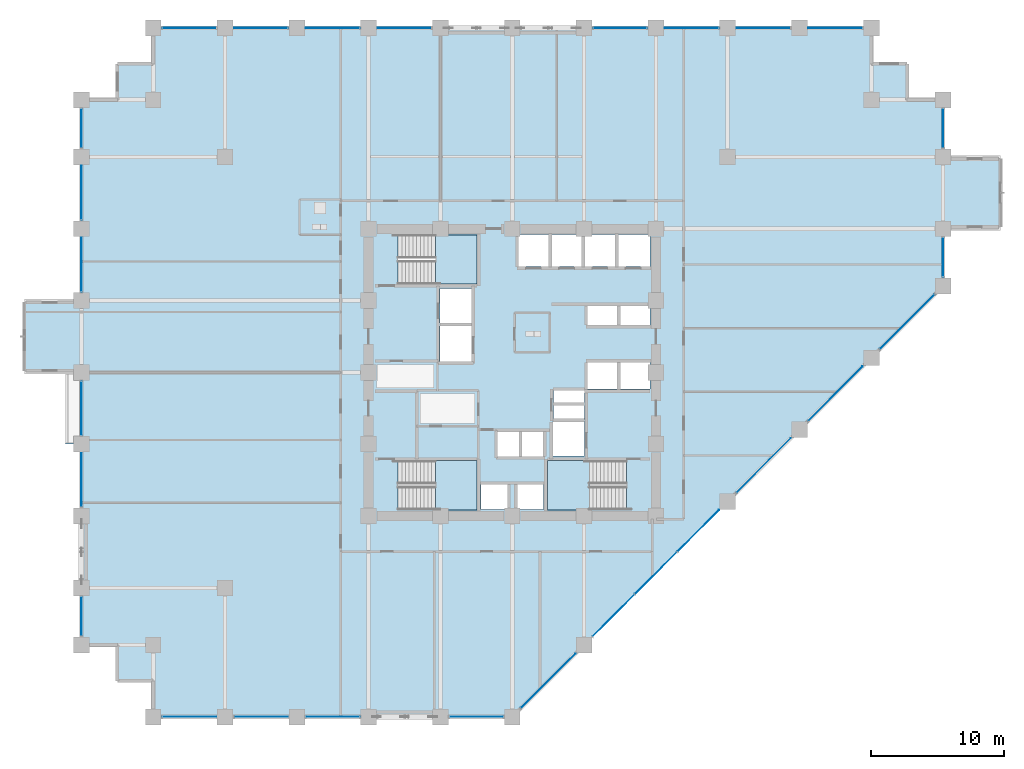
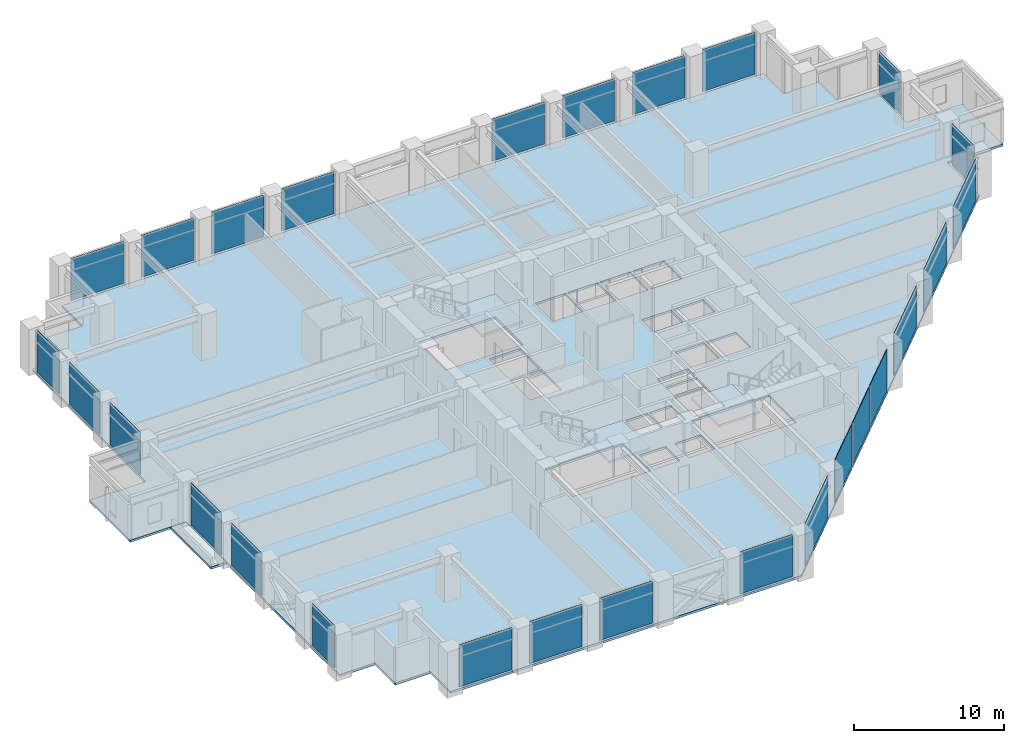
# One storey, part 19 of 28: 27 plates, 5 slabs, 13 elements without a shape of their own.
"""IFC4 building model written with IfcOpenShell, lengths in metres."""

from ifc_helpers import new_model, si_unit, direction, frame, frame_2d, origin, place, context, subcontext, project, spatial, polyline, rectangle, outline, extrude, material, layer, layer_set, type_object, element, aggregate, save


model = new_model("IFC4")

# Units and contexts
model_context = context("Model", 3, precision=1e-05, world=origin(), true_north=direction((0.0, 1.0)))
body_context = subcontext(model_context, "Body", "Model", "MODEL_VIEW")
ifc_project = project(units=[si_unit("LENGTHUNIT", "METRE"), si_unit("AREAUNIT", "SQUARE_METRE"), si_unit("VOLUMEUNIT", "CUBIC_METRE"), si_unit("PLANEANGLEUNIT", "RADIAN"), si_unit("MASSUNIT", "GRAM", prefix="KILO")], contexts=[model_context])

# Site, building, storey
site_placement = place(None, origin())
site = spatial("IfcSite", under=ifc_project, at=site_placement, CompositionType="ELEMENT")
building_placement = place(site_placement, origin())
building = spatial("IfcBuilding", under=site, at=building_placement, Name="Surkhivell Harbour Commons", CompositionType="ELEMENT")
storey_placement = place(building_placement, frame((0.0, 0.0, 63.75)))
storey = spatial("IfcBuildingStorey", under=building, at=storey_placement, Name="L16", CompositionType="ELEMENT", Elevation=63.75)

# Curtain wall, plates
ifc_material_1 = material(Name="Anodised pale-metal aluminium and insulated glazing", Category="aluminium")
ifc_layer_1 = layer(ifc_material_1, 0.219970703125)
ifc_layer_set_1 = layer_set([ifc_layer_1], Name="Anodised pale-metal aluminium and insulated glazing")
curtain_wall_type = type_object("IfcCurtainWallType", Name="CW-SYS-Z1", PredefinedType="NOTDEFINED", material=ifc_layer_set_1)
curtain_wall_1_placement = place(storey_placement, origin())
curtain_wall_1 = element("IfcCurtainWall", 1, at=curtain_wall_1_placement, inside=storey, type_object=curtain_wall_type, Name="L16 Curtain Wall CW-L16-E00S1", PredefinedType="NOTDEFINED")
ifc_material_2 = material(Name="Double-silver low-E laminated vision glass", Category="glass")
ifc_layer_2 = layer(ifc_material_2, 0.031982421875)
ifc_layer_set_2 = layer_set([ifc_layer_2], Name="Double-silver low-E laminated vision glass")
plate_type = type_object("IfcPlateType", Name="CWP-GLZ-32", PredefinedType="CURTAIN_PANEL", material=ifc_layer_set_2)
plate_1_placement = place(storey_placement, frame((-26.322998046875, -25.89990234375, 0.14990234375), z_axis=(0.0, 0.0, 1.0), x_axis=(1.0, 0.0, 0.0)))
plate_1 = element("IfcPlate", 2, at=plate_1_placement, type_object=plate_type, Name="CW-Z1 panel 1.1", PredefinedType="CURTAIN_PANEL", context=body_context, shape_type="SweptSolid", body=[
    extrude(rectangle(XDim=4.0458984375, YDim=0.031982421875, at=frame_2d((2.02294921875, 0.0))), origin(), (0.0, 0.0, 1.0), 3.420166015625),
])
plate_2_placement = place(storey_placement, frame((-20.923095703125, -25.89990234375, 0.14990234375), z_axis=(0.0, 0.0, 1.0), x_axis=(1.0, 0.0, 0.0)))
plate_2 = element("IfcPlate", 3, at=plate_2_placement, type_object=plate_type, Name="CW-Z1 panel 2.1", PredefinedType="CURTAIN_PANEL", context=body_context, shape_type="SweptSolid", body=[
    extrude(rectangle(XDim=4.046142578125, YDim=0.031982421875, at=frame_2d((2.02294921875, 0.0))), origin(), (0.0, 0.0, 1.0), 3.420166015625),
])
plate_3_placement = place(storey_placement, frame((-15.52294921875, -25.89990234375, 0.14990234375), z_axis=(0.0, 0.0, 1.0), x_axis=(1.0, 0.0, 0.0)))
plate_3 = element("IfcPlate", 4, at=plate_3_placement, type_object=plate_type, Name="CW-Z1 panel 3.1", PredefinedType="CURTAIN_PANEL", context=body_context, shape_type="SweptSolid", body=[
    extrude(rectangle(XDim=4.0458984375, YDim=0.031982421875, at=frame_2d((2.02294921875, 0.0))), origin(), (0.0, 0.0, 1.0), 3.420166015625),
])
aggregate(curtain_wall_1, [plate_1, plate_2, plate_3])

# Curtain wall, plate
curtain_wall_2_placement = place(storey_placement, origin())
curtain_wall_2 = element("IfcCurtainWall", 5, at=curtain_wall_2_placement, inside=storey, type_object=curtain_wall_type, Name="L16 Curtain Wall CW-L16-E00S2", PredefinedType="NOTDEFINED")
plate_4_placement = place(storey_placement, frame((-4.722900390625, -25.89990234375, 0.14990234375), z_axis=(0.0, 0.0, 1.0), x_axis=(1.0, 0.0, 0.0)))
plate_4 = element("IfcPlate", 6, at=plate_4_placement, type_object=plate_type, Name="CW-Z1 panel 1.1", PredefinedType="CURTAIN_PANEL", context=body_context, shape_type="SweptSolid", body=[
    extrude(rectangle(XDim=4.0458984375, YDim=0.031982421875, at=frame_2d((2.02294921875, 0.0))), origin(), (0.0, 0.0, 1.0), 3.420166015625),
])
aggregate(curtain_wall_2, [plate_4])

# Curtain wall, plates
curtain_wall_3_placement = place(storey_placement, origin())
curtain_wall_3 = element("IfcCurtainWall", 7, at=curtain_wall_3_placement, inside=storey, type_object=curtain_wall_type, Name="L16 Curtain Wall CW-L16-E01", PredefinedType="NOTDEFINED")
plate_5_placement = place(storey_placement, frame((0.65478515625, -25.2451171875, 0.14990234375), z_axis=(0.0, 0.0, 1.0), x_axis=(0.707106781187, 0.707106781187, 0.0)))
plate_5 = element("IfcPlate", 8, at=plate_5_placement, type_object=plate_type, Name="CW-Z1 panel 1.1", PredefinedType="CURTAIN_PANEL", context=body_context, shape_type="SweptSolid", body=[
    extrude(rectangle(XDim=5.78466796875, YDim=0.031982421875, at=frame_2d((2.892333984375, 0.0))), origin(), (0.0, 0.0, 1.0), 3.420166015625),
])
plate_6_placement = place(storey_placement, frame((6.0546875, -19.84521484375, 0.14990234375), z_axis=(0.0, 0.0, 1.0), x_axis=(0.707106781187, 0.707106781187, 0.0)))
plate_6 = element("IfcPlate", 9, at=plate_6_placement, type_object=plate_type, Name="CW-Z1 panel 2.1", PredefinedType="CURTAIN_PANEL", context=body_context, shape_type="SweptSolid", body=[
    extrude(rectangle(XDim=4.411376953125, YDim=0.031982421875, at=frame_2d((2.20556640625, 0.0))), origin(), (0.0, 0.0, 1.0), 3.420166015625),
])
plate_7_placement = place(storey_placement, frame((9.22705078125, -16.6728515625, 0.14990234375), z_axis=(0.0, 0.0, 1.0), x_axis=(0.707106781187, 0.707106781187, 0.0)))
plate_7 = element("IfcPlate", 10, at=plate_7_placement, type_object=plate_type, Name="CW-Z1 panel 3.1", PredefinedType="CURTAIN_PANEL", context=body_context, shape_type="SweptSolid", body=[
    extrude(rectangle(XDim=4.44873046875, YDim=0.031982421875, at=frame_2d((2.224365234375, 0.0))), origin(), (0.0, 0.0, 1.0), 3.420166015625),
])
plate_8_placement = place(storey_placement, frame((12.426025390625, -13.47412109375, 0.14990234375), z_axis=(0.0, 0.0, 1.0), x_axis=(0.707079108482, 0.707134452808, 0.0)))
plate_8 = element("IfcPlate", 11, at=plate_8_placement, type_object=plate_type, Name="CW-Z1 panel 4.1", PredefinedType="CURTAIN_PANEL", context=body_context, shape_type="SweptSolid", body=[
    extrude(rectangle(XDim=4.411376953125, YDim=0.031982421875, at=frame_2d((2.20556640625, 0.0))), origin(), (0.0, 0.0, 1.0), 3.420166015625),
])
plate_9_placement = place(storey_placement, frame((16.854736328125, -9.045166015625, 0.14990234375), z_axis=(0.0, 0.0, 1.0), x_axis=(0.707127882868, 0.707085678876, 0.0)))
plate_9 = element("IfcPlate", 12, at=plate_9_placement, type_object=plate_type, Name="CW-Z1 panel 5.1", PredefinedType="CURTAIN_PANEL", context=body_context, shape_type="SweptSolid", body=[
    extrude(rectangle(XDim=5.78466796875, YDim=0.031982421875, at=frame_2d((2.892333984375, 0.0))), origin(), (0.0, 0.0, 1.0), 3.420166015625),
])
plate_10_placement = place(storey_placement, frame((22.2548828125, -3.645263671875, 0.14990234375), z_axis=(0.0, 0.0, 1.0), x_axis=(0.707085678876, 0.707127882868, 0.0)))
plate_10 = element("IfcPlate", 13, at=plate_10_placement, type_object=plate_type, Name="CW-Z1 panel 6.1", PredefinedType="CURTAIN_PANEL", context=body_context, shape_type="SweptSolid", body=[
    extrude(rectangle(XDim=5.78466796875, YDim=0.031982421875, at=frame_2d((2.892333984375, 0.0))), origin(), (0.0, 0.0, 1.0), 3.420166015625),
])
plate_11_placement = place(storey_placement, frame((27.65478515625, 1.7548828125, 0.14990234375), z_axis=(0.0, 0.0, 1.0), x_axis=(0.707106781187, 0.707106781187, 0.0)))
plate_11 = element("IfcPlate", 14, at=plate_11_placement, type_object=plate_type, Name="CW-Z1 panel 7.1", PredefinedType="CURTAIN_PANEL", context=body_context, shape_type="SweptSolid", body=[
    extrude(rectangle(XDim=5.78466796875, YDim=0.031982421875, at=frame_2d((2.892333984375, 0.0))), origin(), (0.0, 0.0, 1.0), 3.420166015625),
])
aggregate(curtain_wall_3, [plate_5, plate_6, plate_7, plate_8, plate_9, plate_10, plate_11])

# Curtain wall, plate
curtain_wall_4_placement = place(storey_placement, origin())
curtain_wall_4 = element("IfcCurtainWall", 15, at=curtain_wall_4_placement, inside=storey, type_object=curtain_wall_type, Name="L16 Curtain Wall CW-L16-E02R1", PredefinedType="NOTDEFINED")
plate_12_placement = place(storey_placement, frame((32.39990234375, 7.177001953125, 0.14990234375), z_axis=(0.0, 0.0, 1.0), x_axis=(0.0, 1.0, 0.0)))
plate_12 = element("IfcPlate", 16, at=plate_12_placement, type_object=plate_type, Name="CW-Z1 panel 1.1", PredefinedType="CURTAIN_PANEL", context=body_context, shape_type="SweptSolid", body=[
    extrude(rectangle(XDim=2.946044921875, YDim=0.031982421875, at=frame_2d((1.47314453125, 0.0))), origin(), (0.0, 0.0, 1.0), 3.420166015625),
])
aggregate(curtain_wall_4, [plate_12])

curtain_wall_5_placement = place(storey_placement, origin())
curtain_wall_5 = element("IfcCurtainWall", 17, at=curtain_wall_5_placement, inside=storey, type_object=curtain_wall_type, Name="L16 Curtain Wall CW-L16-E02R2", PredefinedType="NOTDEFINED")
plate_13_placement = place(storey_placement, frame((32.39990234375, 16.876953125, 0.14990234375), z_axis=(0.0, 0.0, 1.0), x_axis=(0.0, 1.0, 0.0)))
plate_13 = element("IfcPlate", 18, at=plate_13_placement, type_object=plate_type, Name="CW-Z1 panel 1.1", PredefinedType="CURTAIN_PANEL", context=body_context, shape_type="SweptSolid", body=[
    extrude(rectangle(XDim=2.946044921875, YDim=0.031982421875, at=frame_2d((1.47314453125, 0.0))), origin(), (0.0, 0.0, 1.0), 3.420166015625),
])
aggregate(curtain_wall_5, [plate_13])

# Curtain wall, plates
curtain_wall_6_placement = place(storey_placement, origin())
curtain_wall_6 = element("IfcCurtainWall", 19, at=curtain_wall_6_placement, inside=storey, type_object=curtain_wall_type, Name="L16 Curtain Wall CW-L16-E07S1", PredefinedType="NOTDEFINED")
plate_14_placement = place(storey_placement, frame((26.322998046875, 25.89990234375, 0.14990234375), z_axis=(0.0, 0.0, 1.0), x_axis=(-1.0, 0.0, 0.0)))
plate_14 = element("IfcPlate", 20, at=plate_14_placement, type_object=plate_type, Name="CW-Z1 panel 1.1", PredefinedType="CURTAIN_PANEL", context=body_context, shape_type="SweptSolid", body=[
    extrude(rectangle(XDim=4.0458984375, YDim=0.031982421875, at=frame_2d((2.02294921875, 0.0))), origin(), (0.0, 0.0, 1.0), 3.420166015625),
])
plate_15_placement = place(storey_placement, frame((20.923095703125, 25.89990234375, 0.14990234375), z_axis=(0.0, 0.0, 1.0), x_axis=(-1.0, 0.0, 0.0)))
plate_15 = element("IfcPlate", 21, at=plate_15_placement, type_object=plate_type, Name="CW-Z1 panel 2.1", PredefinedType="CURTAIN_PANEL", context=body_context, shape_type="SweptSolid", body=[
    extrude(rectangle(XDim=4.046142578125, YDim=0.031982421875, at=frame_2d((2.02294921875, 0.0))), origin(), (0.0, 0.0, 1.0), 3.420166015625),
])
plate_16_placement = place(storey_placement, frame((15.52294921875, 25.89990234375, 0.14990234375), z_axis=(0.0, 0.0, 1.0), x_axis=(-1.0, 0.0, 0.0)))
plate_16 = element("IfcPlate", 22, at=plate_16_placement, type_object=plate_type, Name="CW-Z1 panel 3.1", PredefinedType="CURTAIN_PANEL", context=body_context, shape_type="SweptSolid", body=[
    extrude(rectangle(XDim=4.0458984375, YDim=0.031982421875, at=frame_2d((2.02294921875, 0.0))), origin(), (0.0, 0.0, 1.0), 3.420166015625),
])
plate_17_placement = place(storey_placement, frame((10.123046875, 25.89990234375, 0.14990234375), z_axis=(0.0, 0.0, 1.0), x_axis=(-1.0, 0.0, 0.0)))
plate_17 = element("IfcPlate", 23, at=plate_17_placement, type_object=plate_type, Name="CW-Z1 panel 4.1", PredefinedType="CURTAIN_PANEL", context=body_context, shape_type="SweptSolid", body=[
    extrude(rectangle(XDim=4.046142578125, YDim=0.031982421875, at=frame_2d((2.02294921875, 0.0))), origin(), (0.0, 0.0, 1.0), 3.420166015625),
])
aggregate(curtain_wall_6, [plate_14, plate_15, plate_16, plate_17])

curtain_wall_7_placement = place(storey_placement, origin())
curtain_wall_7 = element("IfcCurtainWall", 24, at=curtain_wall_7_placement, inside=storey, type_object=curtain_wall_type, Name="L16 Curtain Wall CW-L16-E07S2", PredefinedType="NOTDEFINED")
plate_18_placement = place(storey_placement, frame((-6.076904296875, 25.89990234375, 0.14990234375), z_axis=(0.0, 0.0, 1.0), x_axis=(-1.0, 0.0, 0.0)))
plate_18 = element("IfcPlate", 25, at=plate_18_placement, type_object=plate_type, Name="CW-Z1 panel 1.1", PredefinedType="CURTAIN_PANEL", context=body_context, shape_type="SweptSolid", body=[
    extrude(rectangle(XDim=4.046142578125, YDim=0.031982421875, at=frame_2d((2.02294921875, 0.0))), origin(), (0.0, 0.0, 1.0), 3.420166015625),
])
plate_19_placement = place(storey_placement, frame((-11.47705078125, 25.89990234375, 0.14990234375), z_axis=(0.0, 0.0, 1.0), x_axis=(-1.0, 0.0, 0.0)))
plate_19 = element("IfcPlate", 26, at=plate_19_placement, type_object=plate_type, Name="CW-Z1 panel 2.1", PredefinedType="CURTAIN_PANEL", context=body_context, shape_type="SweptSolid", body=[
    extrude(rectangle(XDim=4.0458984375, YDim=0.031982421875, at=frame_2d((2.02294921875, 0.0))), origin(), (0.0, 0.0, 1.0), 3.420166015625),
])
plate_20_placement = place(storey_placement, frame((-16.876953125, 25.89990234375, 0.14990234375), z_axis=(0.0, 0.0, 1.0), x_axis=(-1.0, 0.0, 0.0)))
plate_20 = element("IfcPlate", 27, at=plate_20_placement, type_object=plate_type, Name="CW-Z1 panel 3.1", PredefinedType="CURTAIN_PANEL", context=body_context, shape_type="SweptSolid", body=[
    extrude(rectangle(XDim=4.046142578125, YDim=0.031982421875, at=frame_2d((2.02294921875, 0.0))), origin(), (0.0, 0.0, 1.0), 3.420166015625),
])
plate_21_placement = place(storey_placement, frame((-22.277099609375, 25.89990234375, 0.14990234375), z_axis=(0.0, 0.0, 1.0), x_axis=(-1.0, 0.0, 0.0)))
plate_21 = element("IfcPlate", 28, at=plate_21_placement, type_object=plate_type, Name="CW-Z1 panel 4.1", PredefinedType="CURTAIN_PANEL", context=body_context, shape_type="SweptSolid", body=[
    extrude(rectangle(XDim=4.0458984375, YDim=0.031982421875, at=frame_2d((2.02294921875, 0.0))), origin(), (0.0, 0.0, 1.0), 3.420166015625),
])
aggregate(curtain_wall_7, [plate_18, plate_19, plate_20, plate_21])

# Curtain wall, plate
curtain_wall_8_placement = place(storey_placement, origin())
curtain_wall_8 = element("IfcCurtainWall", 29, at=curtain_wall_8_placement, inside=storey, type_object=curtain_wall_type, Name="L16 Curtain Wall CW-L16-E12R1S1", PredefinedType="NOTDEFINED")
plate_22_placement = place(storey_placement, frame((-32.39990234375, -19.822998046875, 0.14990234375), z_axis=(0.0, 0.0, 1.0), x_axis=(0.0, 1.0, 0.0)))
plate_22 = element("IfcPlate", 30, at=plate_22_placement, type_object=plate_type, Name="CW-Z1 panel 1.1", PredefinedType="CURTAIN_PANEL", context=body_context, shape_type="SweptSolid", body=[
    extrude(rectangle(XDim=2.946044921875, YDim=0.031982421875, at=frame_2d((1.47314453125, 0.0))), origin(), (0.0, 0.0, 1.0), 3.420166015625),
])
aggregate(curtain_wall_8, [plate_22])

# Curtain wall, plates
curtain_wall_9_placement = place(storey_placement, origin())
curtain_wall_9 = element("IfcCurtainWall", 31, at=curtain_wall_9_placement, inside=storey, type_object=curtain_wall_type, Name="L16 Curtain Wall CW-L16-E12R1S2", PredefinedType="NOTDEFINED")
plate_23_placement = place(storey_placement, frame((-32.39990234375, -10.123046875, 0.14990234375), z_axis=(0.0, 0.0, 1.0), x_axis=(0.0, 1.0, 0.0)))
plate_23 = element("IfcPlate", 32, at=plate_23_placement, type_object=plate_type, Name="CW-Z1 panel 1.1", PredefinedType="CURTAIN_PANEL", context=body_context, shape_type="SweptSolid", body=[
    extrude(rectangle(XDim=4.046142578125, YDim=0.031982421875, at=frame_2d((2.02294921875, 0.0))), origin(), (0.0, 0.0, 1.0), 3.420166015625),
])
plate_24_placement = place(storey_placement, frame((-32.39990234375, -4.722900390625, 0.14990234375), z_axis=(0.0, 0.0, 1.0), x_axis=(0.0, 1.0, 0.0)))
plate_24 = element("IfcPlate", 33, at=plate_24_placement, type_object=plate_type, Name="CW-Z1 panel 2.1", PredefinedType="CURTAIN_PANEL", context=body_context, shape_type="SweptSolid", body=[
    extrude(rectangle(XDim=4.0458984375, YDim=0.031982421875, at=frame_2d((2.02294921875, 0.0))), origin(), (0.0, 0.0, 1.0), 3.420166015625),
])
aggregate(curtain_wall_9, [plate_23, plate_24])

curtain_wall_10_placement = place(storey_placement, origin())
curtain_wall_10 = element("IfcCurtainWall", 34, at=curtain_wall_10_placement, inside=storey, type_object=curtain_wall_type, Name="L16 Curtain Wall CW-L16-E12R2", PredefinedType="NOTDEFINED")
plate_25_placement = place(storey_placement, frame((-32.39990234375, 6.076904296875, 0.14990234375), z_axis=(0.0, 0.0, 1.0), x_axis=(0.0, 1.0, 0.0)))
plate_25 = element("IfcPlate", 35, at=plate_25_placement, type_object=plate_type, Name="CW-Z1 panel 1.1", PredefinedType="CURTAIN_PANEL", context=body_context, shape_type="SweptSolid", body=[
    extrude(rectangle(XDim=4.046142578125, YDim=0.031982421875, at=frame_2d((2.02294921875, 0.0))), origin(), (0.0, 0.0, 1.0), 3.420166015625),
])
plate_26_placement = place(storey_placement, frame((-32.39990234375, 11.47705078125, 0.14990234375), z_axis=(0.0, 0.0, 1.0), x_axis=(0.0, 1.0, 0.0)))
plate_26 = element("IfcPlate", 36, at=plate_26_placement, type_object=plate_type, Name="CW-Z1 panel 2.1", PredefinedType="CURTAIN_PANEL", context=body_context, shape_type="SweptSolid", body=[
    extrude(rectangle(XDim=4.0458984375, YDim=0.031982421875, at=frame_2d((2.02294921875, 0.0))), origin(), (0.0, 0.0, 1.0), 3.420166015625),
])
plate_27_placement = place(storey_placement, frame((-32.39990234375, 16.876953125, 0.14990234375), z_axis=(0.0, 0.0, 1.0), x_axis=(0.0, 1.0, 0.0)))
plate_27 = element("IfcPlate", 37, at=plate_27_placement, type_object=plate_type, Name="CW-Z1 panel 3.1", PredefinedType="CURTAIN_PANEL", context=body_context, shape_type="SweptSolid", body=[
    extrude(rectangle(XDim=2.946044921875, YDim=0.031982421875, at=frame_2d((1.47314453125, 0.0))), origin(), (0.0, 0.0, 1.0), 3.420166015625),
])
aggregate(curtain_wall_10, [plate_25, plate_26, plate_27])

# Slab
ifc_material_3 = material(Name="Concrete C45/55", Category="concrete")
ifc_layer_3 = layer(ifc_material_3, 0.179931640625)
ifc_layer_set_3 = layer_set([ifc_layer_3], Name="Concrete C45/55")
slab_type_1 = type_object("IfcSlabType", Name="SLB-BOXRF-180", PredefinedType="ROOF", material=ifc_layer_set_3)
slab_1_placement = place(storey_placement, frame((0.0, 0.0, -0.179931640625)))
element("IfcSlab", 38, at=slab_1_placement, inside=storey, type_object=slab_type_1, Name="L16 Closed Box-Cluster Roof Slab 1", PredefinedType="ROOF", context=body_context, shape_type="SweptSolid", body=[
    extrude(outline(polyline([(-33.60009765625, -5.39990234375), (-32.419921875, -5.39990234375), (-32.419921875, -0.02001953125), (-33.60009765625, -0.02001953125), (-33.60009765625, -5.39990234375)])), origin(), (0.0, 0.0, 1.0), 0.179931640625),
])

# Stair, slab
ifc_material_4 = material(Name="Precast concrete C45/55", Category="concrete")
stair_type = type_object("IfcStairType", Name="STR-DL-375", PredefinedType="HALF_TURN_STAIR", material=ifc_material_4)
stair_1_placement = place(storey_placement, origin())
stair_1 = element("IfcStair", 39, at=stair_1_placement, inside=storey, type_object=stair_type, Name="L16 Core Exit Stair ST1", PredefinedType="HALF_TURN_STAIR")
ifc_material_5 = material(Name="Reinforced concrete C45/55", Category="concrete")
ifc_layer_4 = layer(ifc_material_5, 0.199951171875)
ifc_layer_set_4 = layer_set([ifc_layer_4], Name="Reinforced concrete C45/55")
slab_type_2 = type_object("IfcSlabType", Name="SLB-ST-LND200", PredefinedType="LANDING", material=ifc_layer_set_4)
slab_2_placement = place(storey_placement, frame((0.0, 0.0, 1.675048828125)))
slab_2 = element("IfcSlab", 40, at=slab_2_placement, type_object=slab_type_2, Name="ST1 landing 1", PredefinedType="LANDING", context=body_context, shape_type="SweptSolid", body=[
    extrude(outline(polyline([(-5.7900390625, 6.639892578125), (-2.639892578125, 6.639892578125), (-2.639892578125, 10.340087890625), (-5.7900390625, 10.340087890625), (-5.7900390625, 6.639892578125)])), origin(), (0.0, 0.0, 1.0), 0.199951171875),
])
aggregate(stair_1, [slab_2])

stair_2_placement = place(storey_placement, origin())
stair_2 = element("IfcStair", 41, at=stair_2_placement, inside=storey, type_object=stair_type, Name="L16 Core Exit Stair ST2", PredefinedType="HALF_TURN_STAIR")
slab_3_placement = place(storey_placement, frame((0.0, 0.0, 1.675048828125)))
slab_3 = element("IfcSlab", 42, at=slab_3_placement, type_object=slab_type_2, Name="ST2 landing 1", PredefinedType="LANDING", context=body_context, shape_type="SweptSolid", body=[
    extrude(outline(polyline([(5.7900390625, -6.639892578125), (2.639892578125, -6.639892578125), (2.639892578125, -10.340087890625), (5.7900390625, -10.340087890625), (5.7900390625, -6.639892578125)])), origin(), (0.0, 0.0, 1.0), 0.199951171875),
])
aggregate(stair_2, [slab_3])

stair_3_placement = place(storey_placement, origin())
stair_3 = element("IfcStair", 43, at=stair_3_placement, inside=storey, type_object=stair_type, Name="L16 Core Exit Stair ST3", PredefinedType="HALF_TURN_STAIR")
slab_4_placement = place(storey_placement, frame((0.0, 0.0, 1.675048828125)))
slab_4 = element("IfcSlab", 44, at=slab_4_placement, type_object=slab_type_2, Name="ST3 landing 1", PredefinedType="LANDING", context=body_context, shape_type="SweptSolid", body=[
    extrude(outline(polyline([(-5.7900390625, -10.340087890625), (-2.639892578125, -10.340087890625), (-2.639892578125, -6.639892578125), (-5.7900390625, -6.639892578125), (-5.7900390625, -10.340087890625)])), origin(), (0.0, 0.0, 1.0), 0.199951171875),
])
aggregate(stair_3, [slab_4])

# Slab
ifc_layer_5 = layer(ifc_material_3, 0.179931640625)
ifc_layer_set_5 = layer_set([ifc_layer_5], Name="Concrete C45/55")
slab_type_3 = type_object("IfcSlabType", Name="SLB-TYP-180", PredefinedType="FLOOR", material=ifc_layer_set_5)
slab_5_placement = place(storey_placement, frame((0.0, 0.0, -0.179931640625)))
element("IfcSlab", 45, at=slab_5_placement, inside=storey, type_object=slab_type_3, Name="L16 Structural Floor Slab", PredefinedType="FLOOR", context=body_context, shape_type="SweptSolid", body=[
    extrude(outline(polyline([(-32.39990234375, 20.5), (-32.39990234375, 5.39990234375), (-36.699951171875, 5.39990234375), (-36.699951171875, 0.0), (-32.39990234375, 0.0), (-32.39990234375, -20.5), (-29.699951171875, -20.5), (-29.699951171875, -23.199951171875), (-27.0, -23.199951171875), (-27.0, -25.89990234375), (0.0, -25.89990234375), (32.39990234375, 6.5), (32.39990234375, 10.800048828125), (36.699951171875, 10.800048828125), (36.699951171875, 16.199951171875), (32.39990234375, 16.199951171875), (32.39990234375, 20.5), (29.699951171875, 20.5), (29.699951171875, 23.199951171875), (27.0, 23.199951171875), (27.0, 25.89990234375), (-27.0, 25.89990234375), (-27.0, 23.199951171875), (-29.699951171875, 23.199951171875), (-29.699951171875, 20.5), (-32.39990234375, 20.5)]), holes=[polyline([(-8.590087890625, 6.639892578125), (-2.639892578125, 6.639892578125), (-2.639892578125, 10.340087890625), (-8.590087890625, 10.340087890625), (-8.590087890625, 6.639892578125)]), polyline([(8.590087890625, -6.639892578125), (2.639892578125, -6.639892578125), (2.639892578125, -10.340087890625), (8.590087890625, -10.340087890625), (8.590087890625, -6.639892578125)]), polyline([(-8.590087890625, -10.340087890625), (-2.639892578125, -10.340087890625), (-2.639892578125, -6.639892578125), (-8.590087890625, -6.639892578125), (-8.590087890625, -10.340087890625)]), polyline([(0.449951171875, 7.949951171875), (2.75, 7.949951171875), (2.75, 10.35009765625), (0.449951171875, 10.35009765625), (0.449951171875, 7.949951171875)]), polyline([(2.949951171875, 7.949951171875), (5.25, 7.949951171875), (5.25, 10.35009765625), (2.949951171875, 10.35009765625), (2.949951171875, 7.949951171875)]), polyline([(5.449951171875, 7.949951171875), (7.75, 7.949951171875), (7.75, 10.35009765625), (5.449951171875, 10.35009765625), (5.449951171875, 7.949951171875)]), polyline([(7.949951171875, 7.949951171875), (10.35009765625, 7.949951171875), (10.35009765625, 10.35009765625), (7.949951171875, 10.35009765625), (7.949951171875, 7.949951171875)]), polyline([(5.64990234375, 3.550048828125), (7.89990234375, 3.550048828125), (7.89990234375, 5.14990234375), (5.64990234375, 5.14990234375), (5.64990234375, 3.550048828125)]), polyline([(8.10009765625, 3.550048828125), (10.35009765625, 3.550048828125), (10.35009765625, 5.14990234375), (8.10009765625, 5.14990234375), (8.10009765625, 3.550048828125)]), polyline([(5.64990234375, -1.25), (7.89990234375, -1.25), (7.89990234375, 0.75), (5.64990234375, 0.75), (5.64990234375, -1.25)]), polyline([(8.10009765625, -1.25), (10.35009765625, -1.25), (10.35009765625, 0.75), (8.10009765625, 0.75), (8.10009765625, -1.25)]), polyline([(-1.14990234375, -6.35009765625), (0.550048828125, -6.35009765625), (0.550048828125, -4.449951171875), (-1.14990234375, -4.449951171875), (-1.14990234375, -6.35009765625)]), polyline([(0.679931640625, -6.35009765625), (2.3798828125, -6.35009765625), (2.3798828125, -4.449951171875), (0.679931640625, -4.449951171875), (0.679931640625, -6.35009765625)]), polyline([(-2.35009765625, -10.300048828125), (-0.35009765625, -10.300048828125), (-0.35009765625, -8.39990234375), (-2.35009765625, -8.39990234375), (-2.35009765625, -10.300048828125)]), polyline([(0.35009765625, -10.300048828125), (2.35009765625, -10.300048828125), (2.35009765625, -8.39990234375), (0.35009765625, -8.39990234375), (0.35009765625, -10.300048828125)]), polyline([(-5.449951171875, 3.699951171875), (-3.050048828125, 3.699951171875), (-3.050048828125, 6.300048828125), (-5.449951171875, 6.300048828125), (-5.449951171875, 3.699951171875)]), polyline([(3.050048828125, -6.300048828125), (5.449951171875, -6.300048828125), (5.449951171875, -3.699951171875), (3.050048828125, -3.699951171875), (3.050048828125, -6.300048828125)]), polyline([(-5.449951171875, 0.800048828125), (-3.050048828125, 0.800048828125), (-3.050048828125, 3.5), (-5.449951171875, 3.5), (-5.449951171875, 0.800048828125)]), polyline([(3.10009765625, -3.550048828125), (5.449951171875, -3.550048828125), (5.449951171875, -2.47998046875), (3.10009765625, -2.47998046875), (3.10009765625, -3.550048828125)]), polyline([(3.10009765625, -2.280029296875), (5.449951171875, -2.280029296875), (5.449951171875, -1.35009765625), (3.10009765625, -1.35009765625), (3.10009765625, -2.280029296875)])]), origin(), (0.0, 0.0, 1.0), 0.179931640625),
])

save(model, "model.ifc")
